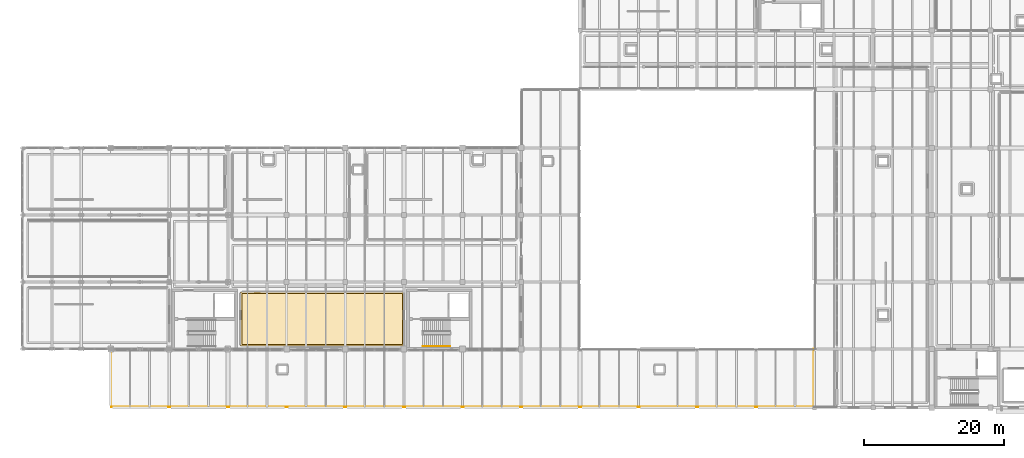
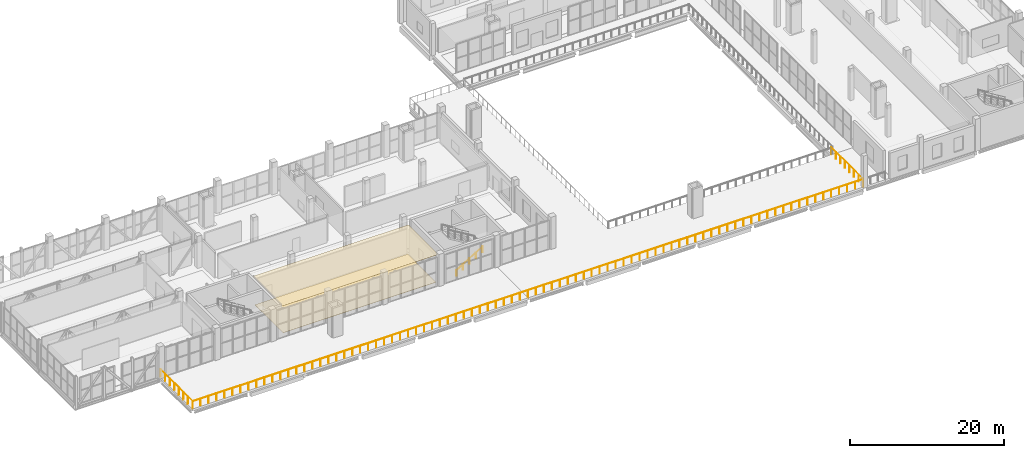
# One storey, part 70 of 77: 2 coverings, 2 railings.
"""IFC4 building model written with IfcOpenShell, lengths in metres."""

from ifc_helpers import new_model, si_unit, direction, frame, origin, origin_2d, place, context, subcontext, project, spatial, polyline, circle, outline, extrude, material, layer, layer_set, type_object, element, save


model = new_model("IFC4")

# Units and contexts
model_context = context("Model", 3, precision=1e-05, world=origin(), true_north=direction((0.0, 1.0)))
body_context = subcontext(model_context, "Body", "Model", "MODEL_VIEW")
ifc_project = project(units=[si_unit("LENGTHUNIT", "METRE"), si_unit("AREAUNIT", "SQUARE_METRE"), si_unit("VOLUMEUNIT", "CUBIC_METRE"), si_unit("PLANEANGLEUNIT", "RADIAN"), si_unit("MASSUNIT", "GRAM", prefix="KILO")], contexts=[model_context])

# Site, building, storey
site_placement = place(None, origin())
site = spatial("IfcSite", under=ifc_project, at=site_placement, CompositionType="ELEMENT")
building_placement = place(site_placement, origin())
building = spatial("IfcBuilding", under=site, at=building_placement, Name="Zulmaris Art Gallery", CompositionType="ELEMENT")
storey_placement = place(building_placement, frame((0.0, 0.0, 15.60009765625)))
storey = spatial("IfcBuildingStorey", under=building, at=storey_placement, Name="L03", CompositionType="ELEMENT", Elevation=15.60009765625)

# Coverings
ifc_material_1 = material(Name="Luminous UV-Diffusing Stretched Gallery Ceiling", Category="gypsum")
ifc_layer_1 = layer(ifc_material_1, 0.034912109375)
ifc_layer_set_1 = layer_set([ifc_layer_1], Name="Luminous UV-Diffusing Stretched Gallery Ceiling")
covering_type_1 = type_object("IfcCoveringType", Name="COV-CL02", PredefinedType="CEILING", material=ifc_layer_set_1)
covering_1_placement = place(storey_placement, frame((0.0, 0.0, 4.449951171875)))
element("IfcCovering", 1, at=covering_1_placement, inside=storey, type_object=covering_type_1, Name="Contemporary Sculpture & Light Gallery acoustic ceiling", PredefinedType="CEILING", context=body_context, shape_type="SweptSolid", body=[
    extrude(outline(polyline([(42.610107421875, 29.7900390625), (65.989990234375, 29.7900390625), (65.989990234375, 22.010009765625), (42.610107421875, 22.010009765625), (42.610107421875, 29.7900390625)])), origin(), (0.0, 0.0, 1.0), 0.030029296875),
])
ifc_material_2 = material(Name="Oiled European Oak Gallery Parquet Flooring", Category="timber")
ifc_layer_2 = layer(ifc_material_2, 0.030029296875)
ifc_layer_set_2 = layer_set([ifc_layer_2], Name="Oiled European Oak Gallery Parquet Flooring")
covering_type_2 = type_object("IfcCoveringType", Name="COV-FL02", PredefinedType="FLOORING", material=ifc_layer_set_2)
covering_2_placement = place(storey_placement, origin())
element("IfcCovering", 2, at=covering_2_placement, inside=storey, type_object=covering_type_2, Name="Contemporary Sculpture & Light Gallery finish flooring", PredefinedType="FLOORING", context=body_context, shape_type="SweptSolid", body=[
    extrude(outline(polyline([(65.77001953125, 22.22998046875), (42.830078125, 22.22998046875), (42.830078125, 29.570068359375), (65.77001953125, 29.570068359375), (65.77001953125, 22.22998046875)])), origin(), (0.0, 0.0, 1.0), 0.034912109375),
])

# Railings
ifc_material_3 = material(Name="Bronze & Laminated Glass Balustrade", Category="glass")
ifc_layer_3 = layer(ifc_material_3, 0.070068359375)
ifc_layer_set_3 = layer_set([ifc_layer_3], Name="Bronze & Laminated Glass Balustrade")
railing_type_1 = type_object("IfcRailingType", Name="RAIL-BAL02", PredefinedType="BALUSTRADE", material=ifc_layer_set_3)
railing_1_placement = place(storey_placement, frame((24.10009765625, 21.60009765625, 0.0)))
element("IfcRailing", 3, at=railing_1_placement, inside=storey, type_object=railing_type_1, Name="V2 Sculpture Terrace South Guard", PredefinedType="BALUSTRADE", context=body_context, shape_type="SweptSolid", body=[
    extrude(circle(Radius=0.02392578125, at=origin_2d()), frame((0.0, 0.0, 1.15576171875), z_axis=(0.0, -1.0, 0.0), x_axis=(1.0, 0.0, 0.0)), (0.0, 0.0, 1.0), 8.300048828125),
    extrude(circle(Radius=0.02392578125, at=origin_2d()), frame((0.0, -8.300048828125, 1.15576171875), z_axis=(1.0, 0.0, 0.0), x_axis=(0.0, 1.0, 0.0)), (0.0, 0.0, 1.0), 100.599853515625),
    extrude(circle(Radius=0.02392578125, at=origin_2d()), frame((100.599853515625, -8.300048828125, 1.15576171875), z_axis=(0.0, 1.0, 0.0), x_axis=(-1.0, 0.0, 0.0)), (0.0, 0.0, 1.0), 8.300048828125),
    extrude(circle(Radius=0.02099609375, at=origin_2d()), origin(), (0.0, 0.0, 1.0), 1.1318359375),
    extrude(circle(Radius=0.02099609375, at=origin_2d()), frame((0.0, -1.185791015625, 0.0)), (0.0, 0.0, 1.0), 1.1318359375),
    extrude(circle(Radius=0.02099609375, at=origin_2d()), frame((0.0, -2.371337890625, 0.0)), (0.0, 0.0, 1.0), 1.1318359375),
    extrude(circle(Radius=0.02099609375, at=origin_2d()), frame((0.0, -3.55712890625, 0.0)), (0.0, 0.0, 1.0), 1.1318359375),
    extrude(circle(Radius=0.02099609375, at=origin_2d()), frame((0.0, -4.742919921875, 0.0)), (0.0, 0.0, 1.0), 1.1318359375),
    extrude(circle(Radius=0.02099609375, at=origin_2d()), frame((0.0, -5.9287109375, 0.0)), (0.0, 0.0, 1.0), 1.1318359375),
    extrude(circle(Radius=0.02099609375, at=origin_2d()), frame((0.0, -7.1142578125, 0.0)), (0.0, 0.0, 1.0), 1.1318359375),
    extrude(circle(Radius=0.02099609375, at=origin_2d()), frame((0.0, -8.300048828125, 0.0)), (0.0, 0.0, 1.0), 1.1318359375),
    extrude(circle(Radius=0.02099609375, at=origin_2d()), frame((1.197509765625, -8.300048828125, 0.0)), (0.0, 0.0, 1.0), 1.1318359375),
    extrude(circle(Radius=0.02099609375, at=origin_2d()), frame((2.395263671875, -8.300048828125, 0.0)), (0.0, 0.0, 1.0), 1.1318359375),
    extrude(circle(Radius=0.02099609375, at=origin_2d()), frame((3.5927734375, -8.300048828125, 0.0)), (0.0, 0.0, 1.0), 1.1318359375),
    extrude(circle(Radius=0.02099609375, at=origin_2d()), frame((4.79052734375, -8.300048828125, 0.0)), (0.0, 0.0, 1.0), 1.1318359375),
    extrude(circle(Radius=0.02099609375, at=origin_2d()), frame((5.988037109375, -8.300048828125, 0.0)), (0.0, 0.0, 1.0), 1.1318359375),
    extrude(circle(Radius=0.02099609375, at=origin_2d()), frame((7.185791015625, -8.300048828125, 0.0)), (0.0, 0.0, 1.0), 1.1318359375),
    extrude(circle(Radius=0.02099609375, at=origin_2d()), frame((8.38330078125, -8.300048828125, 0.0)), (0.0, 0.0, 1.0), 1.1318359375),
    extrude(circle(Radius=0.02099609375, at=origin_2d()), frame((9.5810546875, -8.300048828125, 0.0)), (0.0, 0.0, 1.0), 1.1318359375),
    extrude(circle(Radius=0.02099609375, at=origin_2d()), frame((10.778564453125, -8.300048828125, 0.0)), (0.0, 0.0, 1.0), 1.1318359375),
    extrude(circle(Radius=0.02099609375, at=origin_2d()), frame((11.97607421875, -8.300048828125, 0.0)), (0.0, 0.0, 1.0), 1.1318359375),
    extrude(circle(Radius=0.02099609375, at=origin_2d()), frame((13.173828125, -8.300048828125, 0.0)), (0.0, 0.0, 1.0), 1.1318359375),
    extrude(circle(Radius=0.02099609375, at=origin_2d()), frame((14.371337890625, -8.300048828125, 0.0)), (0.0, 0.0, 1.0), 1.1318359375),
    extrude(circle(Radius=0.02099609375, at=origin_2d()), frame((15.569091796875, -8.300048828125, 0.0)), (0.0, 0.0, 1.0), 1.1318359375),
    extrude(circle(Radius=0.02099609375, at=origin_2d()), frame((16.7666015625, -8.300048828125, 0.0)), (0.0, 0.0, 1.0), 1.1318359375),
    extrude(circle(Radius=0.02099609375, at=origin_2d()), frame((17.96435546875, -8.300048828125, 0.0)), (0.0, 0.0, 1.0), 1.1318359375),
    extrude(circle(Radius=0.02099609375, at=origin_2d()), frame((19.161865234375, -8.300048828125, 0.0)), (0.0, 0.0, 1.0), 1.1318359375),
    extrude(circle(Radius=0.02099609375, at=origin_2d()), frame((20.359375, -8.300048828125, 0.0)), (0.0, 0.0, 1.0), 1.1318359375),
    extrude(circle(Radius=0.02099609375, at=origin_2d()), frame((21.55712890625, -8.300048828125, 0.0)), (0.0, 0.0, 1.0), 1.1318359375),
    extrude(circle(Radius=0.02099609375, at=origin_2d()), frame((22.754638671875, -8.300048828125, 0.0)), (0.0, 0.0, 1.0), 1.1318359375),
    extrude(circle(Radius=0.02099609375, at=origin_2d()), frame((23.952392578125, -8.300048828125, 0.0)), (0.0, 0.0, 1.0), 1.1318359375),
    extrude(circle(Radius=0.02099609375, at=origin_2d()), frame((25.14990234375, -8.300048828125, 0.0)), (0.0, 0.0, 1.0), 1.1318359375),
    extrude(circle(Radius=0.02099609375, at=origin_2d()), frame((26.34765625, -8.300048828125, 0.0)), (0.0, 0.0, 1.0), 1.1318359375),
    extrude(circle(Radius=0.02099609375, at=origin_2d()), frame((27.545166015625, -8.300048828125, 0.0)), (0.0, 0.0, 1.0), 1.1318359375),
    extrude(circle(Radius=0.02099609375, at=origin_2d()), frame((28.742919921875, -8.300048828125, 0.0)), (0.0, 0.0, 1.0), 1.1318359375),
    extrude(circle(Radius=0.02099609375, at=origin_2d()), frame((29.9404296875, -8.300048828125, 0.0)), (0.0, 0.0, 1.0), 1.1318359375),
    extrude(circle(Radius=0.02099609375, at=origin_2d()), frame((31.137939453125, -8.300048828125, 0.0)), (0.0, 0.0, 1.0), 1.1318359375),
    extrude(circle(Radius=0.02099609375, at=origin_2d()), frame((32.335693359375, -8.300048828125, 0.0)), (0.0, 0.0, 1.0), 1.1318359375),
    extrude(circle(Radius=0.02099609375, at=origin_2d()), frame((33.533203125, -8.300048828125, 0.0)), (0.0, 0.0, 1.0), 1.1318359375),
    extrude(circle(Radius=0.02099609375, at=origin_2d()), frame((34.73095703125, -8.300048828125, 0.0)), (0.0, 0.0, 1.0), 1.1318359375),
    extrude(circle(Radius=0.02099609375, at=origin_2d()), frame((35.928466796875, -8.300048828125, 0.0)), (0.0, 0.0, 1.0), 1.1318359375),
    extrude(circle(Radius=0.02099609375, at=origin_2d()), frame((37.126220703125, -8.300048828125, 0.0)), (0.0, 0.0, 1.0), 1.1318359375),
    extrude(circle(Radius=0.02099609375, at=origin_2d()), frame((38.32373046875, -8.300048828125, 0.0)), (0.0, 0.0, 1.0), 1.1318359375),
    extrude(circle(Radius=0.02099609375, at=origin_2d()), frame((39.521484375, -8.300048828125, 0.0)), (0.0, 0.0, 1.0), 1.1318359375),
    extrude(circle(Radius=0.02099609375, at=origin_2d()), frame((40.718994140625, -8.300048828125, 0.0)), (0.0, 0.0, 1.0), 1.1318359375),
    extrude(circle(Radius=0.02099609375, at=origin_2d()), frame((41.91650390625, -8.300048828125, 0.0)), (0.0, 0.0, 1.0), 1.1318359375),
    extrude(circle(Radius=0.02099609375, at=origin_2d()), frame((43.1142578125, -8.300048828125, 0.0)), (0.0, 0.0, 1.0), 1.1318359375),
    extrude(circle(Radius=0.02099609375, at=origin_2d()), frame((44.311767578125, -8.300048828125, 0.0)), (0.0, 0.0, 1.0), 1.1318359375),
    extrude(circle(Radius=0.02099609375, at=origin_2d()), frame((45.509521484375, -8.300048828125, 0.0)), (0.0, 0.0, 1.0), 1.1318359375),
    extrude(circle(Radius=0.02099609375, at=origin_2d()), frame((46.70703125, -8.300048828125, 0.0)), (0.0, 0.0, 1.0), 1.1318359375),
    extrude(circle(Radius=0.02099609375, at=origin_2d()), frame((47.90478515625, -8.300048828125, 0.0)), (0.0, 0.0, 1.0), 1.1318359375),
    extrude(circle(Radius=0.02099609375, at=origin_2d()), frame((49.102294921875, -8.300048828125, 0.0)), (0.0, 0.0, 1.0), 1.1318359375),
    extrude(circle(Radius=0.02099609375, at=origin_2d()), frame((50.2998046875, -8.300048828125, 0.0)), (0.0, 0.0, 1.0), 1.1318359375),
    extrude(circle(Radius=0.02099609375, at=origin_2d()), frame((51.49755859375, -8.300048828125, 0.0)), (0.0, 0.0, 1.0), 1.1318359375),
    extrude(circle(Radius=0.02099609375, at=origin_2d()), frame((52.695068359375, -8.300048828125, 0.0)), (0.0, 0.0, 1.0), 1.1318359375),
    extrude(circle(Radius=0.02099609375, at=origin_2d()), frame((53.892822265625, -8.300048828125, 0.0)), (0.0, 0.0, 1.0), 1.1318359375),
    extrude(circle(Radius=0.02099609375, at=origin_2d()), frame((55.09033203125, -8.300048828125, 0.0)), (0.0, 0.0, 1.0), 1.1318359375),
    extrude(circle(Radius=0.02099609375, at=origin_2d()), frame((56.2880859375, -8.300048828125, 0.0)), (0.0, 0.0, 1.0), 1.1318359375),
    extrude(circle(Radius=0.02099609375, at=origin_2d()), frame((57.485595703125, -8.300048828125, 0.0)), (0.0, 0.0, 1.0), 1.1318359375),
    extrude(circle(Radius=0.02099609375, at=origin_2d()), frame((58.683349609375, -8.300048828125, 0.0)), (0.0, 0.0, 1.0), 1.1318359375),
    extrude(circle(Radius=0.02099609375, at=origin_2d()), frame((59.880859375, -8.300048828125, 0.0)), (0.0, 0.0, 1.0), 1.1318359375),
    extrude(circle(Radius=0.02099609375, at=origin_2d()), frame((61.078369140625, -8.300048828125, 0.0)), (0.0, 0.0, 1.0), 1.1318359375),
    extrude(circle(Radius=0.02099609375, at=origin_2d()), frame((62.276123046875, -8.300048828125, 0.0)), (0.0, 0.0, 1.0), 1.1318359375),
    extrude(circle(Radius=0.02099609375, at=origin_2d()), frame((63.4736328125, -8.300048828125, 0.0)), (0.0, 0.0, 1.0), 1.1318359375),
    extrude(circle(Radius=0.02099609375, at=origin_2d()), frame((64.67138671875, -8.300048828125, 0.0)), (0.0, 0.0, 1.0), 1.1318359375),
    extrude(circle(Radius=0.02099609375, at=origin_2d()), frame((65.868896484375, -8.300048828125, 0.0)), (0.0, 0.0, 1.0), 1.1318359375),
    extrude(circle(Radius=0.02099609375, at=origin_2d()), frame((67.066650390625, -8.300048828125, 0.0)), (0.0, 0.0, 1.0), 1.1318359375),
    extrude(circle(Radius=0.02099609375, at=origin_2d()), frame((68.26416015625, -8.300048828125, 0.0)), (0.0, 0.0, 1.0), 1.1318359375),
    extrude(circle(Radius=0.02099609375, at=origin_2d()), frame((69.4619140625, -8.300048828125, 0.0)), (0.0, 0.0, 1.0), 1.1318359375),
    extrude(circle(Radius=0.02099609375, at=origin_2d()), frame((70.659423828125, -8.300048828125, 0.0)), (0.0, 0.0, 1.0), 1.1318359375),
    extrude(circle(Radius=0.02099609375, at=origin_2d()), frame((71.85693359375, -8.300048828125, 0.0)), (0.0, 0.0, 1.0), 1.1318359375),
    extrude(circle(Radius=0.02099609375, at=origin_2d()), frame((73.0546875, -8.300048828125, 0.0)), (0.0, 0.0, 1.0), 1.1318359375),
    extrude(circle(Radius=0.02099609375, at=origin_2d()), frame((74.252197265625, -8.300048828125, 0.0)), (0.0, 0.0, 1.0), 1.1318359375),
    extrude(circle(Radius=0.02099609375, at=origin_2d()), frame((75.449951171875, -8.300048828125, 0.0)), (0.0, 0.0, 1.0), 1.1318359375),
    extrude(circle(Radius=0.02099609375, at=origin_2d()), frame((76.6474609375, -8.300048828125, 0.0)), (0.0, 0.0, 1.0), 1.1318359375),
    extrude(circle(Radius=0.02099609375, at=origin_2d()), frame((77.84521484375, -8.300048828125, 0.0)), (0.0, 0.0, 1.0), 1.1318359375),
    extrude(circle(Radius=0.02099609375, at=origin_2d()), frame((79.042724609375, -8.300048828125, 0.0)), (0.0, 0.0, 1.0), 1.1318359375),
    extrude(circle(Radius=0.02099609375, at=origin_2d()), frame((80.240478515625, -8.300048828125, 0.0)), (0.0, 0.0, 1.0), 1.1318359375),
    extrude(circle(Radius=0.02099609375, at=origin_2d()), frame((81.43798828125, -8.300048828125, 0.0)), (0.0, 0.0, 1.0), 1.1318359375),
    extrude(circle(Radius=0.02099609375, at=origin_2d()), frame((82.635498046875, -8.300048828125, 0.0)), (0.0, 0.0, 1.0), 1.1318359375),
    extrude(circle(Radius=0.02099609375, at=origin_2d()), frame((83.833251953125, -8.300048828125, 0.0)), (0.0, 0.0, 1.0), 1.1318359375),
    extrude(circle(Radius=0.02099609375, at=origin_2d()), frame((85.03076171875, -8.300048828125, 0.0)), (0.0, 0.0, 1.0), 1.1318359375),
    extrude(circle(Radius=0.02099609375, at=origin_2d()), frame((86.228515625, -8.300048828125, 0.0)), (0.0, 0.0, 1.0), 1.1318359375),
    extrude(circle(Radius=0.02099609375, at=origin_2d()), frame((87.426025390625, -8.300048828125, 0.0)), (0.0, 0.0, 1.0), 1.1318359375),
    extrude(circle(Radius=0.02099609375, at=origin_2d()), frame((88.623779296875, -8.300048828125, 0.0)), (0.0, 0.0, 1.0), 1.1318359375),
    extrude(circle(Radius=0.02099609375, at=origin_2d()), frame((89.8212890625, -8.300048828125, 0.0)), (0.0, 0.0, 1.0), 1.1318359375),
    extrude(circle(Radius=0.02099609375, at=origin_2d()), frame((91.018798828125, -8.300048828125, 0.0)), (0.0, 0.0, 1.0), 1.1318359375),
    extrude(circle(Radius=0.02099609375, at=origin_2d()), frame((92.216552734375, -8.300048828125, 0.0)), (0.0, 0.0, 1.0), 1.1318359375),
    extrude(circle(Radius=0.02099609375, at=origin_2d()), frame((93.4140625, -8.300048828125, 0.0)), (0.0, 0.0, 1.0), 1.1318359375),
    extrude(circle(Radius=0.02099609375, at=origin_2d()), frame((94.61181640625, -8.300048828125, 0.0)), (0.0, 0.0, 1.0), 1.1318359375),
    extrude(circle(Radius=0.02099609375, at=origin_2d()), frame((95.809326171875, -8.300048828125, 0.0)), (0.0, 0.0, 1.0), 1.1318359375),
    extrude(circle(Radius=0.02099609375, at=origin_2d()), frame((97.007080078125, -8.300048828125, 0.0)), (0.0, 0.0, 1.0), 1.1318359375),
    extrude(circle(Radius=0.02099609375, at=origin_2d()), frame((98.20458984375, -8.300048828125, 0.0)), (0.0, 0.0, 1.0), 1.1318359375),
    extrude(circle(Radius=0.02099609375, at=origin_2d()), frame((99.40234375, -8.300048828125, 0.0)), (0.0, 0.0, 1.0), 1.1318359375),
    extrude(circle(Radius=0.02099609375, at=origin_2d()), frame((100.599853515625, -8.300048828125, 0.0)), (0.0, 0.0, 1.0), 1.1318359375),
    extrude(circle(Radius=0.02099609375, at=origin_2d()), frame((100.599853515625, -7.1142578125, 0.0)), (0.0, 0.0, 1.0), 1.1318359375),
    extrude(circle(Radius=0.02099609375, at=origin_2d()), frame((100.599853515625, -5.9287109375, 0.0)), (0.0, 0.0, 1.0), 1.1318359375),
    extrude(circle(Radius=0.02099609375, at=origin_2d()), frame((100.599853515625, -4.742919921875, 0.0)), (0.0, 0.0, 1.0), 1.1318359375),
    extrude(circle(Radius=0.02099609375, at=origin_2d()), frame((100.599853515625, -3.55712890625, 0.0)), (0.0, 0.0, 1.0), 1.1318359375),
    extrude(circle(Radius=0.02099609375, at=origin_2d()), frame((100.599853515625, -2.371337890625, 0.0)), (0.0, 0.0, 1.0), 1.1318359375),
    extrude(circle(Radius=0.02099609375, at=origin_2d()), frame((100.599853515625, -1.185791015625, 0.0)), (0.0, 0.0, 1.0), 1.1318359375),
    extrude(circle(Radius=0.02099609375, at=origin_2d()), frame((100.599853515625, 0.0, 0.0)), (0.0, 0.0, 1.0), 1.1318359375),
])
ifc_material_4 = material(Name="Brushed Bronze Handrail", Category="steel")
ifc_layer_4 = layer(ifc_material_4, 0.048095703125)
ifc_layer_set_4 = layer_set([ifc_layer_4], Name="Brushed Bronze Handrail")
railing_type_2 = type_object("IfcRailingType", Name="RAIL-STHND", PredefinedType="HANDRAIL", material=ifc_layer_set_4)
railing_2_placement = place(storey_placement, frame((68.699951171875, 22.0, 0.169921875)))
element("IfcRailing", 4, at=railing_2_placement, inside=storey, type_object=railing_type_2, Name="L03 ST2 stair handrail 1", PredefinedType="HANDRAIL", context=body_context, shape_type="SweptSolid", body=[
    extrude(circle(Radius=0.02392578125, at=origin_2d()), frame((0.0, 0.0, 0.8759765625), z_axis=(0.854808600491, 0.0, 0.518943403973), x_axis=(0.0, 1.0, 0.0)), (0.0, 0.0, 1.0), 4.5859375),
    extrude(circle(Radius=0.02099609375, at=origin_2d()), origin(), (0.0, 0.0, 1.0), 0.851806640625),
    extrude(circle(Radius=0.02099609375, at=origin_2d()), frame((0.97998046875, 0.0, 0.594970703125)), (0.0, 0.0, 1.0), 0.851806640625),
    extrude(circle(Radius=0.02099609375, at=origin_2d()), frame((1.9599609375, 0.0, 1.18994140625)), (0.0, 0.0, 1.0), 0.851806640625),
    extrude(circle(Radius=0.02099609375, at=origin_2d()), frame((2.940185546875, 0.0, 1.784912109375)), (0.0, 0.0, 1.0), 0.851806640625),
    extrude(circle(Radius=0.02099609375, at=origin_2d()), frame((3.920166015625, 0.0, 2.3798828125)), (0.0, 0.0, 1.0), 0.851806640625),
])

save(model, "model.ifc")
